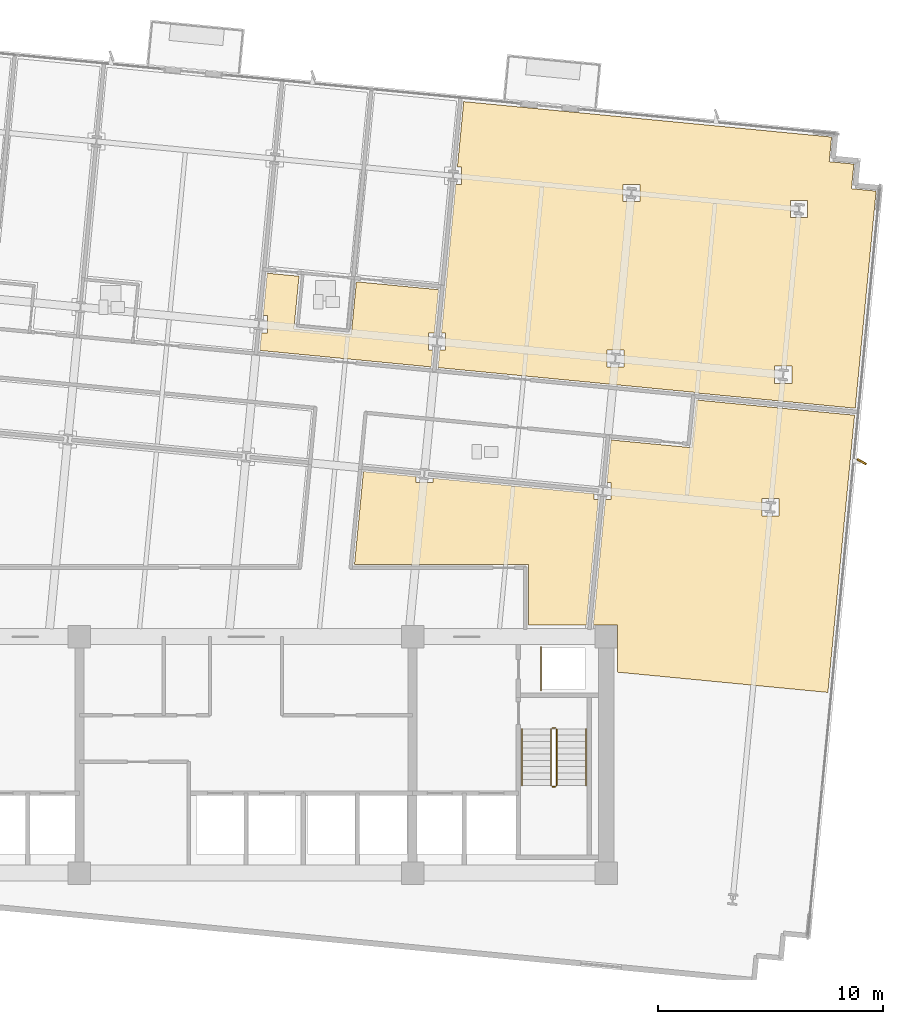
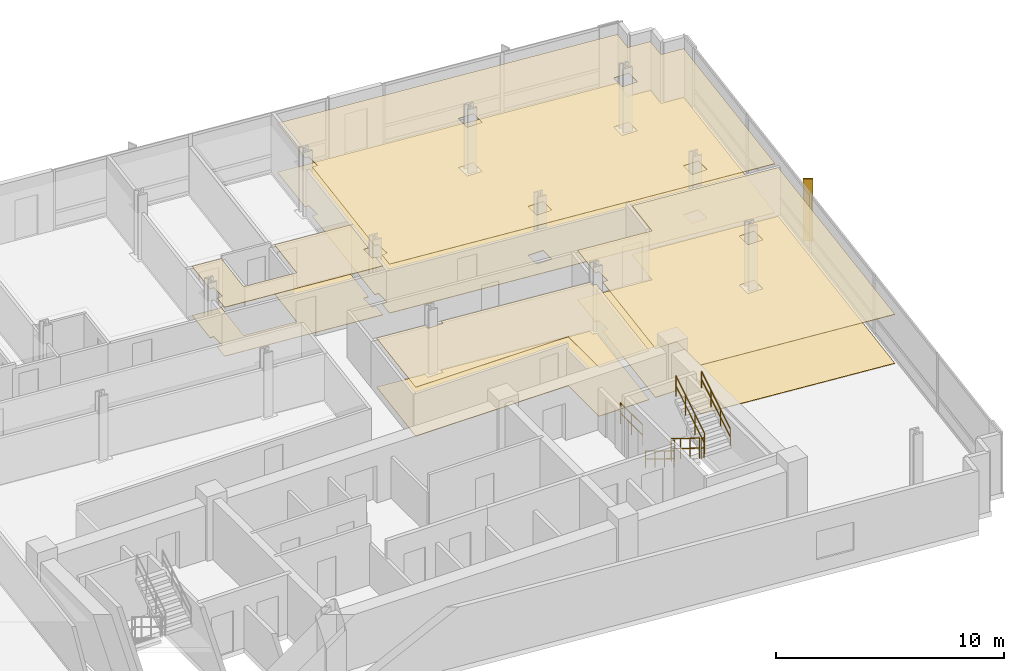
# One storey, part 15 of 17: 8 coverings, 7 railings, 1 shading device.
"""IFC4 building model written with IfcOpenShell, lengths in metres."""

from ifc_helpers import new_model, si_unit, direction, frame, origin, origin_2d, place, context, subcontext, project, spatial, polyline, rectangle, circle, outline, extrude, material, layer, layer_set, type_object, element, save


model = new_model("IFC4")

# Units and contexts
model_context = context("Model", 3, precision=1e-05, world=origin(), true_north=direction((0.0, 1.0)))
body_context = subcontext(model_context, "Body", "Model", "MODEL_VIEW")
ifc_project = project(units=[si_unit("LENGTHUNIT", "METRE"), si_unit("AREAUNIT", "SQUARE_METRE"), si_unit("VOLUMEUNIT", "CUBIC_METRE"), si_unit("PLANEANGLEUNIT", "RADIAN"), si_unit("MASSUNIT", "GRAM", prefix="KILO")], contexts=[model_context])

# Site, building, storey
site_placement = place(None, origin())
site = spatial("IfcSite", under=ifc_project, at=site_placement, CompositionType="ELEMENT")
building_placement = place(site_placement, origin())
building = spatial("IfcBuilding", under=site, at=building_placement, Name="Solmavex Isthmus Hotel", CompositionType="ELEMENT")
storey_placement = place(building_placement, frame((0.0, 0.0, 149.699951171875)))
storey = spatial("IfcBuildingStorey", under=building, at=storey_placement, Name="L40", CompositionType="ELEMENT", Elevation=149.699951171875)

# Coverings
ifc_material_1 = material(Name="Gypsum plasterboard lining", Category="gypsum")
ifc_layer_1 = layer(ifc_material_1, 0.030029296875)
ifc_layer_set_1 = layer_set([ifc_layer_1], Name="Gypsum plasterboard lining")
covering_type_1 = type_object("IfcCoveringType", Name="COV-CEIL-GYP", PredefinedType="CEILING", material=ifc_layer_set_1)
covering_1_placement = place(storey_placement, frame((0.0, 0.0, 2.6201171875)))
element("IfcCovering", 1, at=covering_1_placement, inside=storey, type_object=covering_type_1, Name="Suspended Acoustic Ceiling L40-ST05-FY", PredefinedType="CEILING", context=body_context, shape_type="SweptSolid", body=[
    extrude(outline(polyline([(4.9013671875, 13.259521484375), (4.67626953125, 10.920166015625), (2.1279296875, 11.16552734375), (2.353271484375, 13.5048828125), (0.94189453125, 13.640625), (0.759765625, 11.751220703125), (0.947509765625, 11.751220703125), (0.947509765625, 10.9912109375), (0.686767578125, 10.9912109375), (0.611328125, 10.20849609375), (4.7333984375, 9.811767578125), (5.606201171875, 9.7275390625), (8.22216796875, 9.475830078125), (8.294677734375, 10.228515625), (8.10693359375, 10.228515625), (8.10693359375, 10.988525390625), (8.36767578125, 10.988525390625), (8.552490234375, 12.907958984375), (4.9013671875, 13.259521484375)])), origin(), (0.0, 0.0, 1.0), 0.030029296875),
])
covering_2_placement = place(storey_placement, frame((0.0, 0.0, 2.6201171875)))
element("IfcCovering", 2, at=covering_2_placement, inside=storey, type_object=covering_type_1, Name="Suspended Acoustic Ceiling L40-RM06", PredefinedType="CEILING", context=body_context, shape_type="SweptSolid", body=[
    extrude(outline(polyline([(8.67919921875, 10.988525390625), (8.866943359375, 10.988525390625), (8.866943359375, 10.228515625), (8.60595703125, 10.228515625), (8.53076171875, 9.446044921875), (20.033447265625, 8.33837890625), (20.031494140625, 8.318603515625), (27.05712890625, 7.64208984375), (27.90673828125, 16.46630859375), (27.98583984375, 17.287353515625), (26.890869140625, 17.392822265625), (26.996337890625, 18.48779296875), (25.9013671875, 18.59326171875), (26.0068359375, 19.688232421875), (25.185546875, 19.767333984375), (9.66845703125, 21.261474609375), (9.3876953125, 18.346435546875), (9.575439453125, 18.346435546875), (9.575439453125, 17.586669921875), (9.314453125, 17.586669921875), (8.67919921875, 10.988525390625)]), holes=[polyline([(24.188232421875, 16.106201171875), (24.188232421875, 16.8662109375), (24.9482421875, 16.8662109375), (24.9482421875, 16.106201171875), (24.188232421875, 16.106201171875)]), polyline([(23.479736328125, 8.748291015625), (23.479736328125, 9.50830078125), (24.23974609375, 9.50830078125), (24.23974609375, 8.748291015625), (23.479736328125, 8.748291015625)]), polyline([(16.73486328125, 16.823974609375), (16.73486328125, 17.583984375), (17.494873046875, 17.583984375), (17.494873046875, 16.823974609375), (16.73486328125, 16.823974609375)]), polyline([(16.0263671875, 9.466064453125), (16.0263671875, 10.22607421875), (16.786376953125, 10.22607421875), (16.786376953125, 9.466064453125), (16.0263671875, 9.466064453125)])]), origin(), (0.0, 0.0, 1.0), 0.030029296875),
])
covering_3_placement = place(storey_placement, frame((0.0, 0.0, 2.6201171875)))
element("IfcCovering", 3, at=covering_3_placement, inside=storey, type_object=covering_type_1, Name="Suspended Acoustic Ceiling L40-FL09", PredefinedType="CEILING", context=body_context, shape_type="SweptSolid", body=[
    extrude(outline(polyline([(8.300537109375, 4.535400390625), (8.300537109375, 4.347900390625), (7.540771484375, 4.347900390625), (7.540771484375, 4.608642578125), (5.21533203125, 4.83251953125), (4.81787109375, 0.705078125), (12.554931640625, 0.705078125), (12.554931640625, -1.9951171875), (15.1103515625, -1.9951171875), (15.647705078125, 3.585205078125), (15.4599609375, 3.585205078125), (15.4599609375, 3.84619140625), (8.300537109375, 4.535400390625)])), origin(), (0.0, 0.0, 1.0), 0.030029296875),
])
covering_4_placement = place(storey_placement, frame((0.0, 0.0, 2.6201171875)))
element("IfcCovering", 4, at=covering_4_placement, inside=storey, type_object=covering_type_1, Name="Suspended Acoustic Ceiling L40-FL12", PredefinedType="CEILING", context=body_context, shape_type="SweptSolid", body=[
    extrude(outline(polyline([(16.0322265625, 4.34521484375), (16.219970703125, 4.34521484375), (16.219970703125, 3.585205078125), (15.959228515625, 3.585205078125), (15.658935546875, 0.466552734375), (15.421875, -1.9951171875), (16.5048828125, -1.9951171875), (16.5048828125, -4.08056640625), (25.841796875, -4.9794921875), (26.267822265625, -0.554931640625), (26.603271484375, 2.928955078125), (27.02734375, 7.33349609375), (20.001953125, 8.010009765625), (19.797607421875, 5.8896484375), (16.21435546875, 6.23486328125), (16.0322265625, 4.34521484375)]), holes=[polyline([(22.91357421875, 2.867431640625), (22.91357421875, 3.62744140625), (23.673583984375, 3.62744140625), (23.673583984375, 2.867431640625), (22.91357421875, 2.867431640625)])]), origin(), (0.0, 0.0, 1.0), 0.030029296875),
])
ifc_material_2 = material(Name="Travertine natural stone", Category="masonry")
ifc_layer_2 = layer(ifc_material_2, 0.02490234375)
ifc_layer_set_2 = layer_set([ifc_layer_2], Name="Travertine natural stone")
covering_type_2 = type_object("IfcCoveringType", Name="COV-FLOR-STN", PredefinedType="FLOORING", material=ifc_layer_set_2)
covering_5_placement = place(storey_placement, origin())
element("IfcCovering", 5, at=covering_5_placement, inside=storey, type_object=covering_type_2, Name="Stone and Timber Floor Finish L40-ST05-FY", PredefinedType="FLOORING", context=body_context, shape_type="SweptSolid", body=[
    extrude(outline(polyline([(4.9013671875, 13.259521484375), (4.67626953125, 10.920166015625), (2.1279296875, 11.16552734375), (2.353271484375, 13.5048828125), (0.94189453125, 13.640625), (0.759765625, 11.751220703125), (0.947509765625, 11.751220703125), (0.947509765625, 10.9912109375), (0.686767578125, 10.9912109375), (0.611328125, 10.20849609375), (4.7333984375, 9.811767578125), (5.606201171875, 9.7275390625), (8.22216796875, 9.475830078125), (8.294677734375, 10.228515625), (8.10693359375, 10.228515625), (8.10693359375, 10.988525390625), (8.36767578125, 10.988525390625), (8.552490234375, 12.907958984375), (4.9013671875, 13.259521484375)])), origin(), (0.0, 0.0, 1.0), 0.025146484375),
])
covering_6_placement = place(storey_placement, origin())
element("IfcCovering", 6, at=covering_6_placement, inside=storey, type_object=covering_type_2, Name="Stone and Timber Floor Finish L40-RM06", PredefinedType="FLOORING", context=body_context, shape_type="SweptSolid", body=[
    extrude(outline(polyline([(8.67919921875, 10.988525390625), (8.866943359375, 10.988525390625), (8.866943359375, 10.228515625), (8.60595703125, 10.228515625), (8.53076171875, 9.446044921875), (20.033447265625, 8.33837890625), (20.031494140625, 8.318603515625), (27.05712890625, 7.64208984375), (27.90673828125, 16.46630859375), (27.98583984375, 17.287353515625), (26.890869140625, 17.392822265625), (26.996337890625, 18.48779296875), (25.9013671875, 18.59326171875), (26.0068359375, 19.688232421875), (25.185546875, 19.767333984375), (9.66845703125, 21.261474609375), (9.3876953125, 18.346435546875), (9.575439453125, 18.346435546875), (9.575439453125, 17.586669921875), (9.314453125, 17.586669921875), (8.67919921875, 10.988525390625)]), holes=[polyline([(24.188232421875, 16.106201171875), (24.188232421875, 16.8662109375), (24.9482421875, 16.8662109375), (24.9482421875, 16.106201171875), (24.188232421875, 16.106201171875)]), polyline([(23.479736328125, 8.748291015625), (23.479736328125, 9.50830078125), (24.23974609375, 9.50830078125), (24.23974609375, 8.748291015625), (23.479736328125, 8.748291015625)]), polyline([(16.73486328125, 16.823974609375), (16.73486328125, 17.583984375), (17.494873046875, 17.583984375), (17.494873046875, 16.823974609375), (16.73486328125, 16.823974609375)]), polyline([(16.0263671875, 9.466064453125), (16.0263671875, 10.22607421875), (16.786376953125, 10.22607421875), (16.786376953125, 9.466064453125), (16.0263671875, 9.466064453125)])]), origin(), (0.0, 0.0, 1.0), 0.025146484375),
])
covering_7_placement = place(storey_placement, origin())
element("IfcCovering", 7, at=covering_7_placement, inside=storey, type_object=covering_type_2, Name="Stone and Timber Floor Finish L40-FL09", PredefinedType="FLOORING", context=body_context, shape_type="SweptSolid", body=[
    extrude(outline(polyline([(8.300537109375, 4.535400390625), (8.300537109375, 4.347900390625), (7.540771484375, 4.347900390625), (7.540771484375, 4.608642578125), (5.21533203125, 4.83251953125), (4.81787109375, 0.705078125), (12.554931640625, 0.705078125), (12.554931640625, -1.9951171875), (15.1103515625, -1.9951171875), (15.647705078125, 3.585205078125), (15.4599609375, 3.585205078125), (15.4599609375, 3.84619140625), (8.300537109375, 4.535400390625)])), origin(), (0.0, 0.0, 1.0), 0.025146484375),
])
covering_8_placement = place(storey_placement, origin())
element("IfcCovering", 8, at=covering_8_placement, inside=storey, type_object=covering_type_2, Name="Stone and Timber Floor Finish L40-FL12", PredefinedType="FLOORING", context=body_context, shape_type="SweptSolid", body=[
    extrude(outline(polyline([(16.0322265625, 4.34521484375), (16.219970703125, 4.34521484375), (16.219970703125, 3.585205078125), (15.959228515625, 3.585205078125), (15.658935546875, 0.466552734375), (15.421875, -1.9951171875), (16.5048828125, -1.9951171875), (16.5048828125, -4.08056640625), (25.841796875, -4.9794921875), (26.267822265625, -0.554931640625), (26.603271484375, 2.928955078125), (27.02734375, 7.33349609375), (20.001953125, 8.010009765625), (19.797607421875, 5.8896484375), (16.21435546875, 6.23486328125), (16.0322265625, 4.34521484375)]), holes=[polyline([(22.91357421875, 2.867431640625), (22.91357421875, 3.62744140625), (23.673583984375, 3.62744140625), (23.673583984375, 2.867431640625), (22.91357421875, 2.867431640625)])]), origin(), (0.0, 0.0, 1.0), 0.025146484375),
])

# Railings
ifc_material_3 = material(Name="Clear low-E laminated glass", Category="glass")
ifc_layer_3 = layer(ifc_material_3, 0.080078125)
ifc_layer_set_3 = layer_set([ifc_layer_3], Name="Clear low-E laminated glass")
railing_type_1 = type_object("IfcRailingType", Name="RAIL-ATRIUM-1120", PredefinedType="BALUSTRADE", material=ifc_layer_set_3)
railing_1_placement = place(storey_placement, frame((13.10009765625, -4.89990234375, 0.0)))
element("IfcRailing", 9, at=railing_1_placement, inside=storey, type_object=railing_type_1, Name="Guardrail Balustrade L40-RSE-01", PredefinedType="BALUSTRADE", context=body_context, shape_type="SweptSolid", body=[
    extrude(circle(Radius=0.02392578125, at=origin_2d()), frame((0.0, 0.0, 1.1259765625), z_axis=(0.0, 1.0, 0.0), x_axis=(-1.0, 0.0, 0.0)), (0.0, 0.0, 1.0), 1.949951171875),
    extrude(circle(Radius=0.02392578125, at=origin_2d()), frame((0.0, 0.0, 0.574951171875), z_axis=(0.0, 1.0, 0.0), x_axis=(-1.0, 0.0, 0.0)), (0.0, 0.0, 1.0), 1.949951171875),
    extrude(circle(Radius=0.02099609375, at=origin_2d()), origin(), (0.0, 0.0, 1.0), 1.101806640625),
    extrude(circle(Radius=0.02099609375, at=origin_2d()), frame((0.0, 0.97509765625, 0.0)), (0.0, 0.0, 1.0), 1.101806640625),
    extrude(circle(Radius=0.02099609375, at=origin_2d()), frame((0.0, 1.949951171875, 0.0)), (0.0, 0.0, 1.0), 1.101806640625),
])
ifc_material_4 = material(Name="Stainless steel 316", Category="steel")
ifc_layer_4 = layer(ifc_material_4, 0.06005859375)
ifc_layer_set_4 = layer_set([ifc_layer_4], Name="Stainless steel 316")
railing_type_2 = type_object("IfcRailingType", Name="RAIL-STAIR-GD", PredefinedType="GUARDRAIL", material=ifc_layer_set_4)
railing_2_placement = place(storey_placement, frame((13.550048828125, -6.60009765625, 0.172607421875)))
element("IfcRailing", 10, at=railing_2_placement, inside=storey, type_object=railing_type_2, Name="L40 ST-2 stair guard 1", PredefinedType="GUARDRAIL", context=body_context, shape_type="SweptSolid", body=[
    extrude(circle(Radius=0.02392578125, at=origin_2d()), frame((0.0, 0.0, 1.09619140625), z_axis=(0.0, -0.851400495292, 0.524516154772), x_axis=(1.0, 0.0, 0.0)), (0.0, 0.0, 1.0), 2.9599609375),
    extrude(circle(Radius=0.02392578125, at=origin_2d()), frame((0.0, 0.0, 0.56005859375), z_axis=(0.0, -0.851400495292, 0.524516154772), x_axis=(1.0, 0.0, 0.0)), (0.0, 0.0, 1.0), 2.9599609375),
    extrude(circle(Radius=0.02099609375, at=origin_2d()), origin(), (0.0, 0.0, 1.0), 1.072021484375),
    extrude(circle(Radius=0.02099609375, at=origin_2d()), frame((0.0, -0.840087890625, 0.517578125)), (0.0, 0.0, 1.0), 1.072021484375),
    extrude(circle(Radius=0.02099609375, at=origin_2d()), frame((0.0, -1.679931640625, 1.034912109375)), (0.0, 0.0, 1.0), 1.072021484375),
    extrude(circle(Radius=0.02099609375, at=origin_2d()), frame((0.0, -2.52001953125, 1.552490234375)), (0.0, 0.0, 1.0), 1.072021484375),
])
railing_3_placement = place(storey_placement, frame((13.60009765625, -9.169921875, 1.72509765625)))
element("IfcRailing", 11, at=railing_3_placement, inside=storey, type_object=railing_type_2, Name="L40 ST-2 stair guard 2", PredefinedType="GUARDRAIL", context=body_context, shape_type="SweptSolid", body=[
    extrude(circle(Radius=0.02392578125, at=origin_2d()), frame((0.0, 0.0, 1.09619140625), z_axis=(1.0, 0.0, 0.0), x_axis=(0.0, 1.0, 0.0)), (0.0, 0.0, 1.0), 0.14990234375),
    extrude(circle(Radius=0.02392578125, at=origin_2d()), frame((0.0, 0.0, 0.56005859375), z_axis=(1.0, 0.0, 0.0), x_axis=(0.0, 1.0, 0.0)), (0.0, 0.0, 1.0), 0.14990234375),
    extrude(circle(Radius=0.02099609375, at=origin_2d()), origin(), (0.0, 0.0, 1.0), 1.072021484375),
    extrude(circle(Radius=0.02099609375, at=origin_2d()), frame((0.14990234375, 0.0, 0.0)), (0.0, 0.0, 1.0), 1.072021484375),
])
railing_4_placement = place(storey_placement, frame((13.800048828125, -9.1201171875, 1.8974609375)))
element("IfcRailing", 12, at=railing_4_placement, inside=storey, type_object=railing_type_2, Name="L40 ST-2 stair guard 3", PredefinedType="GUARDRAIL", context=body_context, shape_type="SweptSolid", body=[
    extrude(circle(Radius=0.02392578125, at=origin_2d()), frame((0.0, 0.0, 1.09619140625), z_axis=(0.0, 0.851400495292, 0.524516154772), x_axis=(-1.0, 0.0, 0.0)), (0.0, 0.0, 1.0), 2.9599609375),
    extrude(circle(Radius=0.02392578125, at=origin_2d()), frame((0.0, 0.0, 0.56005859375), z_axis=(0.0, 0.851400495292, 0.524516154772), x_axis=(-1.0, 0.0, 0.0)), (0.0, 0.0, 1.0), 2.9599609375),
    extrude(circle(Radius=0.02099609375, at=origin_2d()), origin(), (0.0, 0.0, 1.0), 1.072021484375),
    extrude(circle(Radius=0.02099609375, at=origin_2d()), frame((0.0, 0.840087890625, 0.517578125)), (0.0, 0.0, 1.0), 1.072021484375),
    extrude(circle(Radius=0.02099609375, at=origin_2d()), frame((0.0, 1.679931640625, 1.034912109375)), (0.0, 0.0, 1.0), 1.072021484375),
    extrude(circle(Radius=0.02099609375, at=origin_2d()), frame((0.0, 2.52001953125, 1.552490234375)), (0.0, 0.0, 1.0), 1.072021484375),
])
railing_5_placement = place(storey_placement, frame((13.60009765625, -6.550048828125, 0.0)))
element("IfcRailing", 13, at=railing_5_placement, inside=storey, type_object=railing_type_2, Name="L40 ST-2 stair guard 4", PredefinedType="GUARDRAIL", context=body_context, shape_type="SweptSolid", body=[
    extrude(circle(Radius=0.02392578125, at=origin_2d()), frame((0.0, 0.0, 1.09619140625), z_axis=(1.0, 0.0, 0.0), x_axis=(0.0, 1.0, 0.0)), (0.0, 0.0, 1.0), 0.14990234375),
    extrude(circle(Radius=0.02392578125, at=origin_2d()), frame((0.0, 0.0, 0.56005859375), z_axis=(1.0, 0.0, 0.0), x_axis=(0.0, 1.0, 0.0)), (0.0, 0.0, 1.0), 0.14990234375),
    extrude(circle(Radius=0.02099609375, at=origin_2d()), origin(), (0.0, 0.0, 1.0), 1.072021484375),
    extrude(circle(Radius=0.02099609375, at=origin_2d()), frame((0.14990234375, 0.0, 0.0)), (0.0, 0.0, 1.0), 1.072021484375),
])
ifc_layer_5 = layer(ifc_material_4, 0.050048828125)
ifc_layer_set_5 = layer_set([ifc_layer_5], Name="Stainless steel 316")
railing_type_3 = type_object("IfcRailingType", Name="RAIL-STAIR-HR", PredefinedType="HANDRAIL", material=ifc_layer_set_5)
railing_6_placement = place(storey_placement, frame((12.25, -6.60009765625, 0.172607421875)))
element("IfcRailing", 14, at=railing_6_placement, inside=storey, type_object=railing_type_3, Name="L40 ST-2 stair handrail 1", PredefinedType="HANDRAIL", context=body_context, shape_type="SweptSolid", body=[
    extrude(circle(Radius=0.02392578125, at=origin_2d()), frame((0.0, 0.0, 0.8759765625), z_axis=(0.0, -0.851400495292, 0.524516154772), x_axis=(1.0, 0.0, 0.0)), (0.0, 0.0, 1.0), 2.9599609375),
    extrude(circle(Radius=0.02392578125, at=origin_2d()), frame((0.0, 0.0, 0.449951171875), z_axis=(0.0, -0.851400495292, 0.524516154772), x_axis=(1.0, 0.0, 0.0)), (0.0, 0.0, 1.0), 2.9599609375),
    extrude(circle(Radius=0.02099609375, at=origin_2d()), origin(), (0.0, 0.0, 1.0), 0.851806640625),
    extrude(circle(Radius=0.02099609375, at=origin_2d()), frame((0.0, -0.840087890625, 0.517578125)), (0.0, 0.0, 1.0), 0.851806640625),
    extrude(circle(Radius=0.02099609375, at=origin_2d()), frame((0.0, -1.679931640625, 1.034912109375)), (0.0, 0.0, 1.0), 0.851806640625),
    extrude(circle(Radius=0.02099609375, at=origin_2d()), frame((0.0, -2.52001953125, 1.552490234375)), (0.0, 0.0, 1.0), 0.851806640625),
])
railing_7_placement = place(storey_placement, frame((15.10009765625, -9.1201171875, 1.8974609375)))
element("IfcRailing", 15, at=railing_7_placement, inside=storey, type_object=railing_type_3, Name="L40 ST-2 stair handrail 2", PredefinedType="HANDRAIL", context=body_context, shape_type="SweptSolid", body=[
    extrude(circle(Radius=0.02392578125, at=origin_2d()), frame((0.0, 0.0, 0.8759765625), z_axis=(0.0, 0.851400495292, 0.524516154772), x_axis=(-1.0, 0.0, 0.0)), (0.0, 0.0, 1.0), 2.9599609375),
    extrude(circle(Radius=0.02392578125, at=origin_2d()), frame((0.0, 0.0, 0.449951171875), z_axis=(0.0, 0.851400495292, 0.524516154772), x_axis=(-1.0, 0.0, 0.0)), (0.0, 0.0, 1.0), 2.9599609375),
    extrude(circle(Radius=0.02099609375, at=origin_2d()), origin(), (0.0, 0.0, 1.0), 0.851806640625),
    extrude(circle(Radius=0.02099609375, at=origin_2d()), frame((0.0, 0.840087890625, 0.517578125)), (0.0, 0.0, 1.0), 0.851806640625),
    extrude(circle(Radius=0.02099609375, at=origin_2d()), frame((0.0, 1.679931640625, 1.034912109375)), (0.0, 0.0, 1.0), 0.851806640625),
    extrude(circle(Radius=0.02099609375, at=origin_2d()), frame((0.0, 2.52001953125, 1.552490234375)), (0.0, 0.0, 1.0), 0.851806640625),
])

# Shading device
ifc_material_5 = material(Name="Aluminium alloy 6063-T6", Category="aluminium")
shading_device_type = type_object("IfcShadingDeviceType", Name="SHD-FIN-BRONZE", PredefinedType="USERDEFINED", material=ifc_material_5)
shading_device_placement = place(storey_placement, frame((27.345947265625, 5.2685546875, -0.139892578125), z_axis=(0.0, 0.0, 1.0), x_axis=(0.87035569594, -0.492423560103, 0.0)))
element("IfcShadingDevice", 16, at=shading_device_placement, inside=storey, type_object=shading_device_type, Name="Anodised Aluminium Solar Fin L40-E1", ObjectType="SOLAR_FIN", PredefinedType="USERDEFINED", context=body_context, shape_type="SweptSolid", body=[
    extrude(rectangle(XDim=0.449951171875, YDim=0.080078125, at=origin_2d()), origin(), (0.0, 0.0, 1.0), 3.330078125),
])

save(model, "model.ifc")
